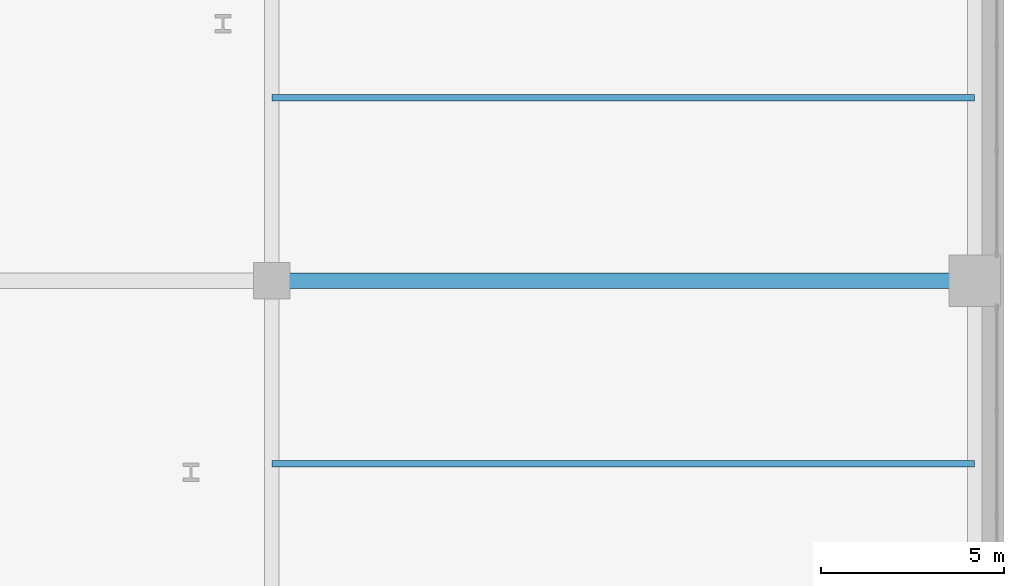
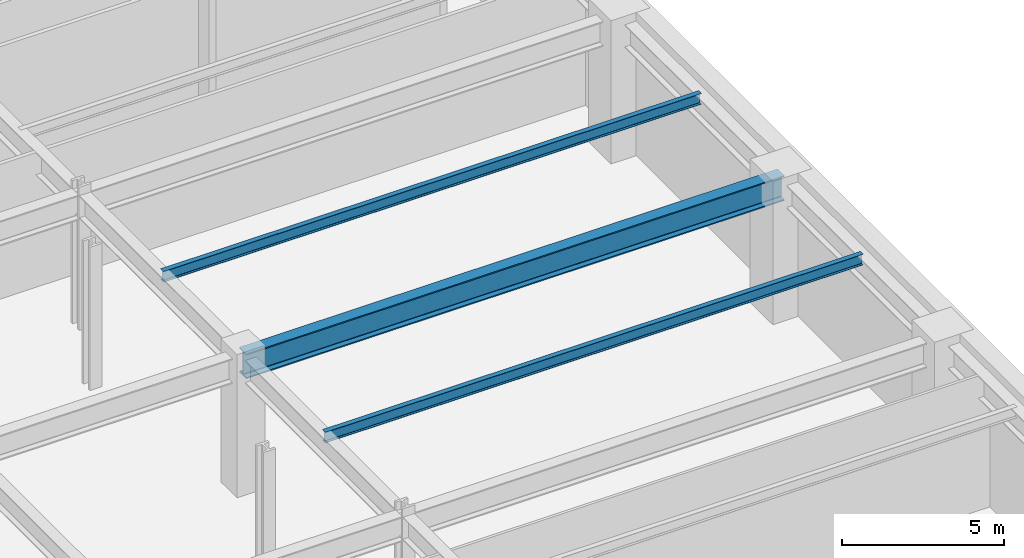
# One storey, part 11 of 25: 3 beams.
"""IFC4 building model written with IfcOpenShell, lengths in metres."""

import ifcopenshell
import ifcopenshell.guid

model = None  # the IFC model being written
_history = None  # IfcOwnerHistory: only IFC2X3 demands one
_inside = {}  # id of a spatial element -> (the spatial element, [elements in it])
_under = {}  # id of a project, library or spatial element -> (it, [spatial elements below it])
_declared = {}  # id of a project -> (the project, [libraries it declares])
_typed = {}  # id of a type object -> (the type object, [elements of that type])
_made_of = {}  # id of a material, layer set ... -> (it, [elements and type objects made of it])


def new_model(schema):
    """Start an empty IFC model of exactly this schema.

    Asked for "IFC4X3", IfcOpenShell would pick the latest addendum, in which some entities
    have other attributes; the version numbers below select the first issue.
    IFC2X3 requires an IfcOwnerHistory on every rooted entity: one is made here for all.
    """
    global model, _history
    if schema == "IFC4X3":
        model = ifcopenshell.file(schema_version=(4, 3, 0, 0))
    else:
        model = ifcopenshell.file(schema=schema)
    _inside.clear()
    _under.clear()
    _declared.clear()
    _typed.clear()
    _made_of.clear()
    _history = None
    if model.schema == "IFC2X3":
        org = make("IfcOrganization", Name="unknown")
        user = make(
            "IfcPersonAndOrganization",
            ThePerson=make("IfcPerson", FamilyName="unknown"),
            TheOrganization=org,
        )
        app = make(
            "IfcApplication",
            ApplicationDeveloper=org,
            Version="unknown",
            ApplicationFullName="unknown",
            ApplicationIdentifier="unknown",
        )
        _history = make(
            "IfcOwnerHistory",
            OwningUser=user,
            OwningApplication=app,
            ChangeAction="ADDED",
            CreationDate=0,
        )
    return model


def make(cls, **values):
    """One entity of the class cls with the attributes given. An attribute that is None is left unset."""
    return model.create_entity(
        cls, **{name: value for name, value in values.items() if value is not None}
    )


def rooted(cls, **values):
    """An entity with a GlobalId (a new one), such as an element, a storey or a relation."""
    return make(cls, GlobalId=ifcopenshell.guid.new(), OwnerHistory=_history, **values)


def si_unit(unit_type, name, prefix=None):
    """IfcSIUnit, for example si_unit("LENGTHUNIT", "METRE", prefix="MILLI")."""
    return make("IfcSIUnit", UnitType=unit_type, Prefix=prefix, Name=name)


def assignment(units):
    """IfcUnitAssignment: the units of a project."""
    return None if units is None else make("IfcUnitAssignment", Units=units)


def point(xyz):
    """IfcCartesianPoint."""
    return None if xyz is None else make("IfcCartesianPoint", Coordinates=xyz)


def direction(xyz):
    """IfcDirection."""
    return None if xyz is None else make("IfcDirection", DirectionRatios=xyz)


def frame(location, z_axis=None, x_axis=None):
    """IfcAxis2Placement3D, a coordinate frame: its origin and axes. An axis left out is left unset."""
    return make(
        "IfcAxis2Placement3D",
        Location=point(location),
        Axis=direction(z_axis),
        RefDirection=direction(x_axis),
    )


def frame_2d(location, x_axis=None):
    """IfcAxis2Placement2D, a coordinate frame in the plane: its origin and x axis."""
    return make(
        "IfcAxis2Placement2D", Location=point(location), RefDirection=direction(x_axis)
    )


def origin():
    """The frame at (0, 0, 0) with its axes left unset."""
    return frame((0.0, 0.0, 0.0))


def origin_2d():
    """The frame at (0, 0) in the plane with its x axis left unset."""
    return frame_2d((0.0, 0.0))


def place(relative_to, where):
    """IfcLocalPlacement: puts the frame where relative to a parent placement (None: the world)."""
    return make(
        "IfcLocalPlacement", PlacementRelTo=relative_to, RelativePlacement=where
    )


def context(
    kind, dimensions, precision=None, world=None, true_north=None, identifier=None
):
    """IfcGeometricRepresentationContext, for example the 3D "Model" context."""
    return make(
        "IfcGeometricRepresentationContext",
        ContextIdentifier=identifier,
        ContextType=kind,
        CoordinateSpaceDimension=dimensions,
        Precision=precision,
        WorldCoordinateSystem=world,
        TrueNorth=true_north,
    )


def subcontext(parent, identifier, kind, view, scale=None):
    """IfcGeometricRepresentationSubContext, for example "Body" below "Model"."""
    return make(
        "IfcGeometricRepresentationSubContext",
        ContextIdentifier=identifier,
        ContextType=kind,
        ParentContext=parent,
        TargetScale=scale,
        TargetView=view,
    )


def project(units=None, contexts=None):
    """IfcProject with its units and contexts."""
    return rooted(
        "IfcProject",
        Name="project",
        RepresentationContexts=contexts,
        UnitsInContext=assignment(units),
    )


def spatial(cls, under=None, at=None, **own):
    """A site, building, storey or space (cls), placed at a placement, below another one or the project."""
    s = rooted(cls, ObjectPlacement=at, **own)
    if under is not None:
        _under.setdefault(under.id(), (under, []))[1].append(s)
    return s


def profile(cls, at=None, kind="AREA", **sizes):
    """A parametric profile (cls). Its sizes go by their IFC names, for example OverallWidth=200.0."""
    return make(cls, ProfileType=kind, Position=at, **sizes)


def i_section(**sizes):
    """IfcIShapeProfileDef."""
    return profile("IfcIShapeProfileDef", **sizes)


def extrude(swept, where, along, depth):
    """IfcExtrudedAreaSolid: the profile swept, set in the frame where, extruded along a direction by depth."""
    return make(
        "IfcExtrudedAreaSolid",
        SweptArea=swept,
        Position=where,
        ExtrudedDirection=direction(along),
        Depth=depth,
    )


def shape(context_of_items, identifier, shape_type, items):
    """IfcShapeRepresentation: the items that make up one representation, for example the "Body"."""
    return make(
        "IfcShapeRepresentation",
        ContextOfItems=context_of_items,
        RepresentationIdentifier=identifier,
        RepresentationType=shape_type,
        Items=items,
    )


def material(Name=None, Category=None):
    """IfcMaterial."""
    return make("IfcMaterial", Name=Name, Category=Category)


def material_profile(
    of_material, cross_section, Name=None, Category=None, Priority=None
):
    """IfcMaterialProfile: a cross section and its material."""
    return make(
        "IfcMaterialProfile",
        Name=Name,
        Material=of_material,
        Profile=cross_section,
        Priority=Priority,
        Category=Category,
    )


def profile_set(profiles, Name=None, composite=None):
    """IfcMaterialProfileSet."""
    return make(
        "IfcMaterialProfileSet",
        Name=Name,
        MaterialProfiles=profiles,
        CompositeProfile=composite,
    )


def made_of(thing, what):
    """Note that an element or type object is made of a material, layer set ...; save() writes the relation."""
    if what is not None:
        _made_of.setdefault(what.id(), (what, []))[1].append(thing)
    return thing


def type_object(cls, material=None, **own):
    """A type object (cls), such as IfcWallType, which elements share."""
    return made_of(rooted(cls, **own), material)


def element(
    cls,
    number,
    at=None,
    inside=None,
    cuts=None,
    type_object=None,
    material=None,
    context=None,
    identifier="Body",
    shape_type=None,
    held_by="IfcProductDefinitionShape",
    body=None,
    shapes=None,
    **own,
):
    """One element of the class cls, such as IfcWall. Its Tag is "e" and its number.

    at: its placement. inside: the storey or other place that contains it. cuts: it is an
    opening in that element (IfcRelVoidsElement). A single representation is given by context,
    identifier, shape_type and body (its items); several are given by shapes. held_by: the class
    of the entity that holds the representations. save() writes the other relations.
    """
    e = rooted(cls, Tag="e%d" % number, ObjectPlacement=at, **own)
    if body is not None:
        shapes = [shape(context, identifier, shape_type, body)]
    if shapes is not None:
        e.Representation = make(held_by, Representations=shapes)
    if inside is not None:
        _inside.setdefault(inside.id(), (inside, []))[1].append(e)
    if cuts is not None:
        rooted(
            "IfcRelVoidsElement", RelatingBuildingElement=cuts, RelatedOpeningElement=e
        )
    if type_object is not None:
        _typed.setdefault(type_object.id(), (type_object, []))[1].append(e)
    return made_of(e, material)


def aggregate(whole, parts):
    """IfcRelAggregates: a whole, such as a stair, and the parts it consists of."""
    return rooted("IfcRelAggregates", RelatingObject=whole, RelatedObjects=parts)


def save(model, path):
    """Write the relations noted so far, then the file.

    IfcRelAggregates (storeys below a building ...), IfcRelContainedInSpatialStructure (elements
    in a storey), IfcRelDefinesByType, IfcRelAssociatesMaterial and IfcRelDeclares: one each for
    every whole, place, type object, material and project.
    """
    for whole, parts in _under.values():
        aggregate(whole, parts)
    for where, things in _inside.values():
        rooted(
            "IfcRelContainedInSpatialStructure",
            RelatedElements=things,
            RelatingStructure=where,
        )
    for kind, things in _typed.values():
        rooted("IfcRelDefinesByType", RelatedObjects=things, RelatingType=kind)
    for what, things in _made_of.values():
        rooted("IfcRelAssociatesMaterial", RelatedObjects=things, RelatingMaterial=what)
    for by, libraries in _declared.values():
        rooted("IfcRelDeclares", RelatingContext=by, RelatedDefinitions=libraries)
    model.write(path)


model = new_model("IFC4")

# Units and contexts
model_context = context("Model", 3, precision=1e-05, world=origin(), true_north=direction((0.0, 1.0)))
body_context = subcontext(model_context, "Body", "Model", "MODEL_VIEW")
ifc_project = project(units=[si_unit("LENGTHUNIT", "METRE"), si_unit("AREAUNIT", "SQUARE_METRE"), si_unit("VOLUMEUNIT", "CUBIC_METRE"), si_unit("PLANEANGLEUNIT", "RADIAN"), si_unit("MASSUNIT", "GRAM", prefix="KILO")], contexts=[model_context])

# Site, building, storey
site_placement = place(None, origin())
site = spatial("IfcSite", under=ifc_project, at=site_placement, CompositionType="ELEMENT")
building_placement = place(site_placement, origin())
building = spatial("IfcBuilding", under=site, at=building_placement, Name="Soratama Intermodal Tower", CompositionType="ELEMENT")
storey_placement = place(building_placement, frame((0.0, 0.0, -5.39990234375)))
storey = spatial("IfcBuildingStorey", under=building, at=storey_placement, Name="B1", CompositionType="ELEMENT", Elevation=-5.39990234375)

# Beams
ifc_material_1 = material(Name="Structural steel ASTM A992 Grade 50", Category="steel")
ifc_material_profile_1 = material_profile(ifc_material_1, i_section(OverallWidth=0.177978515625, OverallDepth=0.406982421875, WebThickness=0.0078125, FlangeThickness=0.0126953125, FilletRadius=0.010009765625, at=origin_2d()), Name="W16X40")
ifc_profile_set_1 = profile_set([ifc_material_profile_1], Name="Structural steel ASTM A992 Grade 50")
beam_type_1 = type_object("IfcBeamType", Name="BM-JST-W16X40", PredefinedType="JOIST", material=ifc_profile_set_1)
for number, where, z_axis, x_axis, name in (
    (1, (64.0, 20.0, 4.87646484375), (1.0, 0.0, 0.0), (0.0, 1.0, 0.0), "JST-B1-E2"),
    (2, (64.0, 30.0, 4.87646484375), (1.0, 0.0, 0.0), (0.0, 1.0, 0.0), "JST-B1-E3"),
):
    element("IfcBeam", number, at=place(storey_placement, frame(where, z_axis=z_axis, x_axis=x_axis)), inside=storey, type_object=beam_type_1, Name=name, PredefinedType="JOIST", context=body_context, shape_type="SweptSolid", body=[
        extrude(i_section(OverallWidth=0.177978515625, OverallDepth=0.406982421875, WebThickness=0.0078125, FlangeThickness=0.0126953125, FilletRadius=0.010009765625, at=origin_2d()), origin(), (0.0, 0.0, 1.0), 19.199951171875),
    ])
ifc_material_2 = material(Name="Structural steel ASTM A992 Grade 50", Category="steel")
ifc_material_profile_2 = material_profile(ifc_material_2, i_section(OverallWidth=0.423095703125, OverallDepth=0.93896484375, WebThickness=0.02392578125, FlangeThickness=0.042724609375, FilletRadius=0.02392578125, at=origin_2d()), Name="W36X302")
ifc_profile_set_2 = profile_set([ifc_material_profile_2], Name="Structural steel ASTM A992 Grade 50")
beam_type_2 = type_object("IfcBeamType", Name="BM-POD-W36X302", PredefinedType="BEAM", material=ifc_profile_set_2)
beam_placement = place(storey_placement, frame((64.0, 25.0, 4.6103515625), z_axis=(1.0, 0.0, 0.0), x_axis=(0.0, 1.0, 0.0)))
element("IfcBeam", 3, at=beam_placement, inside=storey, type_object=beam_type_2, Name="B1 Station Girder X3-3", PredefinedType="BEAM", context=body_context, shape_type="SweptSolid", body=[
    extrude(i_section(OverallWidth=0.423095703125, OverallDepth=0.93896484375, WebThickness=0.02392578125, FlangeThickness=0.042724609375, FilletRadius=0.02392578125, at=origin_2d()), origin(), (0.0, 0.0, 1.0), 19.199951171875),
])

save(model, "model.ifc")
